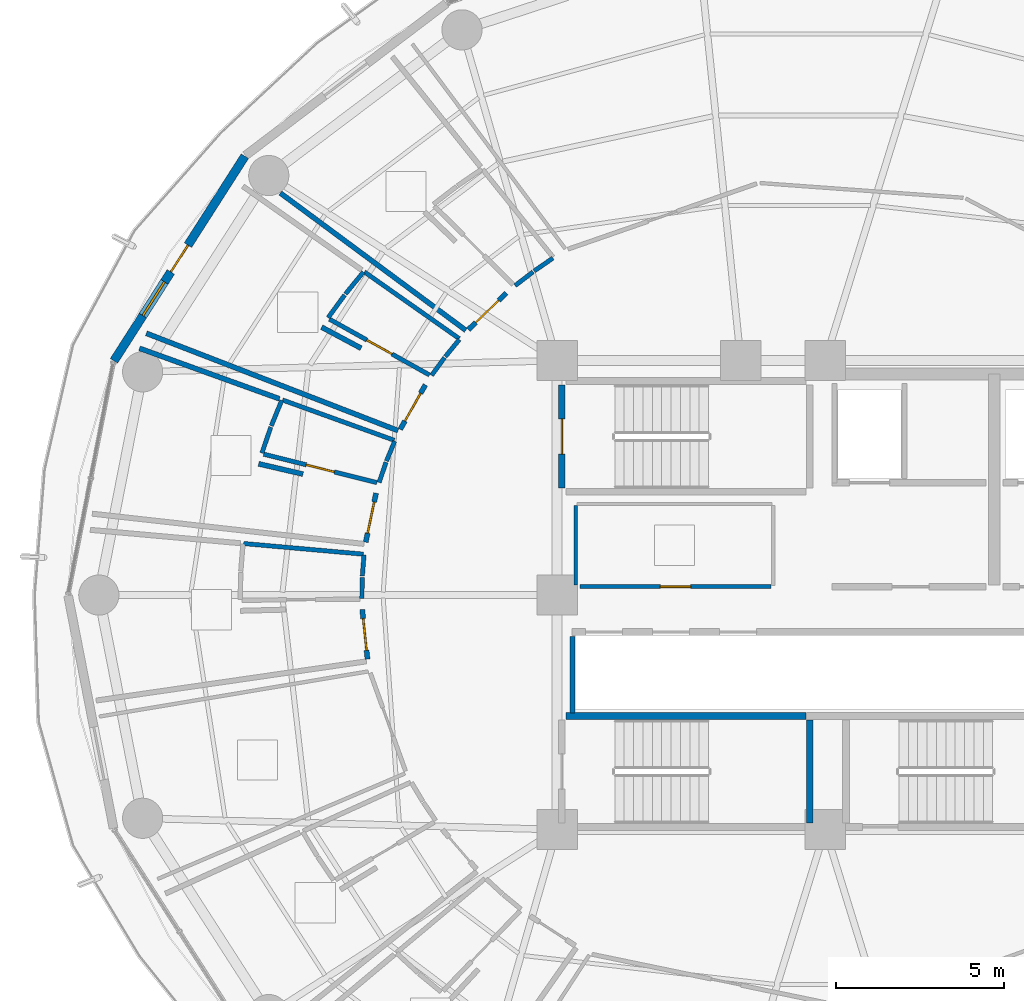
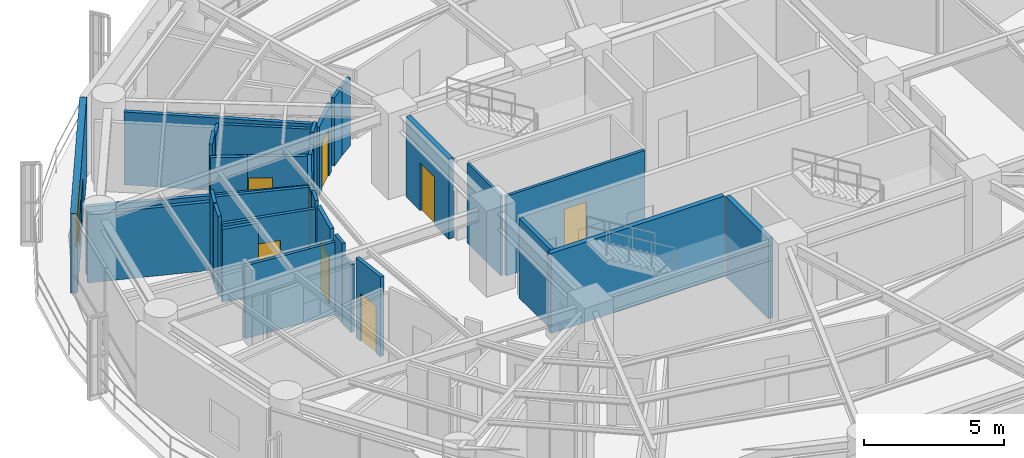
# One storey, part 22 of 27: 33 walls, 9 doors, 1 window, 10 openings.
"""IFC4 building model written with IfcOpenShell, lengths in metres."""

from ifc_helpers import new_model, si_unit, direction, frame, frame_2d, origin, place, context, subcontext, project, spatial, rectangle, extrude, material, layer, layer_set, type_object, element, fill, save


model = new_model("IFC4")

# Units and contexts
model_context = context("Model", 3, precision=1e-05, world=origin(), true_north=direction((0.0, 1.0)))
body_context = subcontext(model_context, "Body", "Model", "MODEL_VIEW")
ifc_project = project(units=[si_unit("LENGTHUNIT", "METRE"), si_unit("AREAUNIT", "SQUARE_METRE"), si_unit("VOLUMEUNIT", "CUBIC_METRE"), si_unit("PLANEANGLEUNIT", "RADIAN"), si_unit("MASSUNIT", "GRAM", prefix="KILO")], contexts=[model_context])

# Site, building, storey
site_placement = place(None, origin())
site = spatial("IfcSite", under=ifc_project, at=site_placement, CompositionType="ELEMENT")
building_placement = place(site_placement, origin())
building = spatial("IfcBuilding", under=site, at=building_placement, Name="Kelanora Arch Commons", CompositionType="ELEMENT")
storey_placement = place(building_placement, frame((0.0, 0.0, 173.10009765625)))
storey = spatial("IfcBuildingStorey", under=building, at=storey_placement, Name="L44", CompositionType="ELEMENT", Elevation=173.10009765625)

# Wall
ifc_material_1 = material(Name="Autoclaved aerated concrete blockwork with fire plaster", Category="masonry")
ifc_layer_1 = layer(ifc_material_1, 0.14990234375)
ifc_layer_set_1 = layer_set([ifc_layer_1], Name="Autoclaved aerated concrete blockwork with fire plaster")
wall_type_1 = type_object("IfcWallType", Name="W-COMP-150", PredefinedType="PARTITIONING", material=ifc_layer_set_1)
wall_1_placement = place(storey_placement, frame((66.4599609375, 54.47998046875, 0.0), z_axis=(0.0, 0.0, 1.0), x_axis=(0.0, 1.0, 0.0)))
element("IfcWall", 1, at=wall_1_placement, inside=storey, type_object=wall_type_1, Name="South Lift Bank West Wall L44", PredefinedType="PARTITIONING", context=body_context, shape_type="SweptSolid", body=[
    extrude(rectangle(XDim=2.2900390625, YDim=0.14990234375, at=frame_2d((1.14501953125, 0.0))), origin(), (0.0, 0.0, 1.0), 3.47998046875),
])

# Wall, opening, door
wall_2_placement = place(storey_placement, frame((64.481689453125, 67.013427734375, 0.0), z_axis=(0.0, 0.0, 1.0), x_axis=(-0.720543985977, -0.693409232901, 0.0)))
wall_2 = element("IfcWall", 2, at=wall_2_placement, inside=storey, type_object=wall_type_1, Name="Cluster Bedroom L44-01 Entry Partition", PredefinedType="PARTITIONING", context=body_context, shape_type="SweptSolid", body=[
    extrude(rectangle(XDim=1.574462890625, YDim=0.14990234375, at=frame_2d((0.787109375, 0.0))), origin(), (0.0, 0.0, 1.0), 2.974853515625),
])
opening_1_placement = place(wall_2_placement, frame((0.31201171875, 0.0, 0.0)))
opening_1 = element("IfcOpeningElement", 3, at=opening_1_placement, cuts=wall_2, Name="Opening D-CLU1", PredefinedType="OPENING", context=body_context, shape_type="SweptSolid", body=[
    extrude(rectangle(XDim=0.949951171875, YDim=2.080078125, at=frame_2d((0.47509765625, 1.0400390625))), frame((0.0, 0.0849609375, 0.0), z_axis=(0.0, -1.0, 0.0), x_axis=(1.0, 0.0, 0.0)), (0.0, 0.0, 1.0), 0.169921875),
])
ifc_material_2 = material(Name="Solid-core acoustic timber cluster entry fire door", Category="wood")
door_type_1 = type_object("IfcDoorType", Name="D-CLU-95", OperationType="NOTDEFINED", PredefinedType="DOOR", material=ifc_material_2)
door_1_placement = place(opening_1_placement, origin())
door_1 = element("IfcDoor", 4, at=door_1_placement, inside=storey, type_object=door_type_1, Name="Cluster Bedroom L44-01 Door", OperationType="SINGLE_SWING_LEFT", OverallHeight=2.080078125, OverallWidth=0.949951171875, PredefinedType="DOOR", context=body_context, shape_type="SweptSolid", body=[
    extrude(rectangle(XDim=0.949951171875, YDim=2.080078125, at=frame_2d((0.47509765625, 1.0400390625))), frame((0.0, 0.02490234375, 0.0), z_axis=(0.0, -1.0, 0.0), x_axis=(1.0, 0.0, 0.0)), (0.0, 0.0, 1.0), 0.050048828125),
])
fill(opening_1, door_1)

wall_3_placement = place(storey_placement, frame((62.06640625, 64.27490234375, 0.0), z_axis=(0.0, 0.0, 1.0), x_axis=(-0.491582624537, -0.870830938388, 0.0)))
wall_3 = element("IfcWall", 5, at=wall_3_placement, inside=storey, type_object=wall_type_1, Name="Cluster Bedroom L44-02 Entry Partition", PredefinedType="PARTITIONING", context=body_context, shape_type="SweptSolid", body=[
    extrude(rectangle(XDim=1.525634765625, YDim=0.14990234375, at=frame_2d((0.7626953125, 0.0))), origin(), (0.0, 0.0, 1.0), 3.23486328125),
])
opening_2_placement = place(wall_3_placement, frame((0.2880859375, 0.0, 0.0)))
opening_2 = element("IfcOpeningElement", 6, at=opening_2_placement, cuts=wall_3, Name="Opening D-CLU1", PredefinedType="OPENING", context=body_context, shape_type="SweptSolid", body=[
    extrude(rectangle(XDim=0.949951171875, YDim=2.080078125, at=frame_2d((0.47509765625, 1.0400390625))), frame((0.0, 0.0849609375, 0.0), z_axis=(0.0, -1.0, 0.0), x_axis=(1.0, 0.0, 0.0)), (0.0, 0.0, 1.0), 0.169921875),
])
door_2_placement = place(opening_2_placement, origin())
door_2 = element("IfcDoor", 7, at=door_2_placement, inside=storey, type_object=door_type_1, Name="Cluster Bedroom L44-02 Door", OperationType="SINGLE_SWING_LEFT", OverallHeight=2.080078125, OverallWidth=0.949951171875, PredefinedType="DOOR", context=body_context, shape_type="SweptSolid", body=[
    extrude(rectangle(XDim=0.949951171875, YDim=2.080078125, at=frame_2d((0.47509765625, 1.0400390625))), frame((0.0, 0.02490234375, 0.0), z_axis=(0.0, -1.0, 0.0), x_axis=(1.0, 0.0, 0.0)), (0.0, 0.0, 1.0), 0.050048828125),
])
fill(opening_2, door_2)

wall_4_placement = place(storey_placement, frame((60.594482421875, 61.041259765625, 0.0), z_axis=(0.0, 0.0, 1.0), x_axis=(-0.206257580925, -0.978497731378, 0.0)))
wall_4 = element("IfcWall", 8, at=wall_4_placement, inside=storey, type_object=wall_type_1, Name="Cluster Bedroom L44-03 Entry Partition", PredefinedType="PARTITIONING", context=body_context, shape_type="SweptSolid", body=[
    extrude(rectangle(XDim=1.493896484375, YDim=0.14990234375, at=frame_2d((0.7470703125, 0.0))), origin(), (0.0, 0.0, 1.0), 3.47998046875),
])
opening_3_placement = place(wall_4_placement, frame((0.27197265625, 0.0, 0.0)))
opening_3 = element("IfcOpeningElement", 9, at=opening_3_placement, cuts=wall_4, Name="Opening D-CLU1", PredefinedType="OPENING", context=body_context, shape_type="SweptSolid", body=[
    extrude(rectangle(XDim=0.949951171875, YDim=2.080078125, at=frame_2d((0.47509765625, 1.0400390625))), frame((0.0, 0.0849609375, 0.0), z_axis=(0.0, -1.0, 0.0), x_axis=(1.0, 0.0, 0.0)), (0.0, 0.0, 1.0), 0.169921875),
])
door_3_placement = place(opening_3_placement, origin())
door_3 = element("IfcDoor", 10, at=door_3_placement, inside=storey, type_object=door_type_1, Name="Cluster Bedroom L44-03 Door", OperationType="SINGLE_SWING_LEFT", OverallHeight=2.080078125, OverallWidth=0.949951171875, PredefinedType="DOOR", context=body_context, shape_type="SweptSolid", body=[
    extrude(rectangle(XDim=0.949951171875, YDim=2.080078125, at=frame_2d((0.47509765625, 1.0400390625))), frame((0.0, 0.02490234375, 0.0), z_axis=(0.0, -1.0, 0.0), x_axis=(1.0, 0.0, 0.0)), (0.0, 0.0, 1.0), 0.050048828125),
])
fill(opening_3, door_3)

wall_5_placement = place(storey_placement, frame((60.182373046875, 57.568359375, 0.0), z_axis=(0.0, 0.0, 1.0), x_axis=(0.104940843895, -0.994478465972, 0.0)))
wall_5 = element("IfcWall", 11, at=wall_5_placement, inside=storey, type_object=wall_type_1, Name="Cluster Bedroom L44-04 Entry Partition", PredefinedType="PARTITIONING", context=body_context, shape_type="SweptSolid", body=[
    extrude(rectangle(XDim=1.489013671875, YDim=0.14990234375, at=frame_2d((0.74462890625, 0.0))), origin(), (0.0, 0.0, 1.0), 3.47998046875),
])
opening_4_placement = place(wall_5_placement, frame((0.26904296875, 0.0, 0.0)))
opening_4 = element("IfcOpeningElement", 12, at=opening_4_placement, cuts=wall_5, Name="Opening D-CLU1", PredefinedType="OPENING", context=body_context, shape_type="SweptSolid", body=[
    extrude(rectangle(XDim=0.949951171875, YDim=2.080078125, at=frame_2d((0.47509765625, 1.0400390625))), frame((0.0, 0.0849609375, 0.0), z_axis=(0.0, -1.0, 0.0), x_axis=(1.0, 0.0, 0.0)), (0.0, 0.0, 1.0), 0.169921875),
])
door_4_placement = place(opening_4_placement, origin())
door_4 = element("IfcDoor", 13, at=door_4_placement, inside=storey, type_object=door_type_1, Name="Cluster Bedroom L44-04 Door", OperationType="SINGLE_SWING_LEFT", OverallHeight=2.080078125, OverallWidth=0.949951171875, PredefinedType="DOOR", context=body_context, shape_type="SweptSolid", body=[
    extrude(rectangle(XDim=0.949951171875, YDim=2.080078125, at=frame_2d((0.47509765625, 1.0400390625))), frame((0.0, 0.02490234375, 0.0), z_axis=(0.0, -1.0, 0.0), x_axis=(1.0, 0.0, 0.0)), (0.0, 0.0, 1.0), 0.050048828125),
])
fill(opening_4, door_4)

# Walls
wall_6_placement = place(storey_placement, frame((63.27197265625, 65.90380859375, 0.0), z_axis=(0.0, 0.0, 1.0), x_axis=(-0.803728632682, 0.594996037808, 0.0)))
element("IfcWall", 14, at=wall_6_placement, inside=storey, type_object=wall_type_1, Name="Cluster Bedroom L44-01 Enclosure Partition 2", PredefinedType="PARTITIONING", context=body_context, shape_type="SweptSolid", body=[
    extrude(rectangle(XDim=6.8857421875, YDim=0.14990234375, at=frame_2d((3.44287109375, 0.0))), origin(), (0.0, 0.0, 1.0), 3.1748046875),
])
wall_7_placement = place(storey_placement, frame((61.249755859375, 62.908447265625, 0.0), z_axis=(0.0, 0.0, 1.0), x_axis=(-0.932687580633, 0.360685287936, 0.0)))
element("IfcWall", 15, at=wall_7_placement, inside=storey, type_object=wall_type_1, Name="Cluster Bedroom L44-02 Enclosure Partition 2", PredefinedType="PARTITIONING", context=body_context, shape_type="SweptSolid", body=[
    extrude(rectangle(XDim=8.051513671875, YDim=0.14990234375, at=frame_2d((4.02587890625, 0.0))), origin(), (0.0, 0.0, 1.0), 2.974853515625),
])
wall_8_placement = place(storey_placement, frame((58.97119140625, 65.99609375, 0.0), z_axis=(0.0, 0.0, 1.0), x_axis=(0.882039066957, -0.471176277376, 0.0)))
element("IfcWall", 16, at=wall_8_placement, inside=storey, type_object=wall_type_1, Name="Cluster Bedroom L44-02 Enclosure Partition 7", PredefinedType="PARTITIONING", context=body_context, shape_type="SweptSolid", body=[
    extrude(rectangle(XDim=1.335693359375, YDim=0.14990234375, at=frame_2d((0.66796875, 0.0))), origin(), (0.0, 0.0, 1.0), 3.1748046875),
])
wall_9_placement = place(storey_placement, frame((53.53466796875, 65.364501953125, 0.0), z_axis=(0.0, 0.0, 1.0), x_axis=(0.940657292565, -0.339358008517, 0.0)))
element("IfcWall", 17, at=wall_9_placement, inside=storey, type_object=wall_type_1, Name="Cluster Bedroom L44-03 Enclosure Partition 5", PredefinedType="PARTITIONING", context=body_context, shape_type="SweptSolid", body=[
    extrude(rectangle(XDim=4.440185546875, YDim=0.14990234375, at=frame_2d((2.22021484375, 0.0))), origin(), (0.0, 0.0, 1.0), 2.974853515625),
])
wall_10_placement = place(storey_placement, frame((57.091064453125, 61.91796875, 0.0), z_axis=(0.0, 0.0, 1.0), x_axis=(0.973980333704, -0.226632543023, 0.0)))
element("IfcWall", 18, at=wall_10_placement, inside=storey, type_object=wall_type_1, Name="Cluster Bedroom L44-03 Enclosure Partition 7", PredefinedType="PARTITIONING", context=body_context, shape_type="SweptSolid", body=[
    extrude(rectangle(XDim=1.357421875, YDim=0.14990234375, at=frame_2d((0.6787109375, 0.0))), origin(), (0.0, 0.0, 1.0), 3.1748046875),
])

# Wall, openings, door, window
ifc_material_3 = material(Name="Precast concrete C40/50 with terracotta rainscreen", Category="masonry")
ifc_layer_2 = layer(ifc_material_3, 0.260009765625)
ifc_layer_set_2 = layer_set([ifc_layer_2], Name="Precast concrete C40/50 with terracotta rainscreen")
wall_type_2 = type_object("IfcWallType", Name="W-EXT-TC", PredefinedType="SOLIDWALL", material=ifc_layer_set_2)
wall_11_placement = place(storey_placement, frame((56.67919921875, 71.100341796875, 0.0), z_axis=(0.0, 0.0, 1.0), x_axis=(-0.538801521808, -0.842432739213, 0.0)))
wall_11 = element("IfcWall", 19, at=wall_11_placement, inside=storey, type_object=wall_type_2, Name="Terracotta Exterior Wall L44-B07", PredefinedType="SOLIDWALL", context=body_context, shape_type="SweptSolid", body=[
    extrude(rectangle(XDim=7.25341796875, YDim=0.260009765625, at=frame_2d((3.626708984375, 0.0))), origin(), (0.0, 0.0, 1.0), 3.474853515625),
])
opening_5_placement = place(wall_11_placement, frame((3.152099609375, 0.0, 0.0)))
opening_5 = element("IfcOpeningElement", 20, at=opening_5_placement, cuts=wall_11, Name="Opening DB-01", PredefinedType="OPENING", context=body_context, shape_type="SweptSolid", body=[
    extrude(rectangle(XDim=0.949951171875, YDim=2.10009765625, at=frame_2d((0.47509765625, 1.050048828125))), frame((0.0, 0.14013671875, 0.0), z_axis=(0.0, -1.0, 0.0), x_axis=(1.0, 0.0, 0.0)), (0.0, 0.0, 1.0), 0.280029296875),
])
opening_6_placement = place(wall_11_placement, frame((4.451904296875, 0.0, 0.85009765625)))
opening_6 = element("IfcOpeningElement", 21, at=opening_6_placement, cuts=wall_11, Name="Opening WN-02", PredefinedType="OPENING", context=body_context, shape_type="SweptSolid", body=[
    extrude(rectangle(XDim=1.199951171875, YDim=1.449951171875, at=frame_2d((0.60009765625, 0.72509765625))), frame((0.0, 0.14013671875, 0.0), z_axis=(0.0, -1.0, 0.0), x_axis=(1.0, 0.0, 0.0)), (0.0, 0.0, 1.0), 0.280029296875),
])
ifc_material_4 = material(Name="Terracotta-aluminium thermally broken glazed balcony door", Category="masonry")
door_type_2 = type_object("IfcDoorType", Name="D-BAL-10", OperationType="NOTDEFINED", PredefinedType="DOOR", material=ifc_material_4)
door_5_placement = place(opening_5_placement, frame((0.949951171875, 0.0, 0.0), z_axis=(0.0, 0.0, 1.0), x_axis=(-1.0, 0.0, 0.0)))
door_5 = element("IfcDoor", 22, at=door_5_placement, inside=storey, type_object=door_type_2, Name="Wave Balcony Door L44-B07", OperationType="SINGLE_SWING_RIGHT", OverallHeight=2.10009765625, OverallWidth=0.949951171875, PredefinedType="DOOR", context=body_context, shape_type="SweptSolid", body=[
    extrude(rectangle(XDim=0.949951171875, YDim=2.10009765625, at=frame_2d((0.47509765625, 1.050048828125))), frame((0.0, 0.02490234375, 0.0), z_axis=(0.0, -1.0, 0.0), x_axis=(1.0, 0.0, 0.0)), (0.0, 0.0, 1.0), 0.050048828125),
])
fill(opening_5, door_5)
ifc_material_5 = material(Name="Terracotta-anodised aluminium frame with operable awning sash", Category="masonry")
window_type = type_object("IfcWindowType", Name="WIN-CL-12", PartitioningType="SINGLE_PANEL", PredefinedType="WINDOW", material=ifc_material_5)
window_placement = place(opening_6_placement, origin())
window = element("IfcWindow", 23, at=window_placement, inside=storey, type_object=window_type, Name="Co-Living Operable Window L44-B07", OverallHeight=1.449951171875, OverallWidth=1.199951171875, PartitioningType="SINGLE_PANEL", PredefinedType="WINDOW", context=body_context, shape_type="SweptSolid", body=[
    extrude(rectangle(XDim=1.199951171875, YDim=1.449951171875, at=frame_2d((0.60009765625, 0.72509765625))), frame((0.0, 0.030029296875, 0.0), z_axis=(0.0, -1.0, 0.0), x_axis=(1.0, 0.0, 0.0)), (0.0, 0.0, 1.0), 0.06005859375),
])
fill(opening_6, window)

# Wall
ifc_material_6 = material(Name="Lightweight fire-rated acoustic stud partition")
ifc_layer_3 = layer(ifc_material_6, 0.10009765625)
ifc_layer_set_3 = layer_set([ifc_layer_3], Name="Lightweight fire-rated acoustic stud partition")
wall_type_3 = type_object("IfcWallType", Name="W-PART-100", PredefinedType="PARTITIONING", material=ifc_layer_set_3)
wall_12_placement = place(storey_placement, frame((66.550048828125, 60.679931640625, 0.0), z_axis=(0.0, 0.0, 1.0), x_axis=(0.0, -1.0, 0.0)))
element("IfcWall", 24, at=wall_12_placement, inside=storey, type_object=wall_type_3, Name="Reclaimed Core Study Pod Lounge L44 Enclosure Partition 4", PredefinedType="PARTITIONING", context=body_context, shape_type="SweptSolid", body=[
    extrude(rectangle(XDim=2.383056640625, YDim=0.10009765625, at=frame_2d((1.19140625, 0.0))), origin(), (0.0, 0.0, 1.0), 3.47998046875),
])

# Wall, opening, door
ifc_material_7 = material(Name="Acoustic twin-stud fire-rated gypsum partition")
ifc_layer_4 = layer(ifc_material_7, 0.1201171875)
ifc_layer_set_4 = layer_set([ifc_layer_4], Name="Acoustic twin-stud fire-rated gypsum partition")
wall_type_4 = type_object("IfcWallType", Name="W-PART-120", PredefinedType="PARTITIONING", material=ifc_layer_set_4)
wall_13_placement = place(storey_placement, frame((66.67529296875, 58.25, 0.0), z_axis=(0.0, 0.0, 1.0), x_axis=(1.0, 0.0, 0.0)))
wall_13 = element("IfcWall", 25, at=wall_13_placement, inside=storey, type_object=wall_type_4, Name="Reclaimed Core Study Pod Lounge L44 Entry Partition", PredefinedType="PARTITIONING", context=body_context, shape_type="SweptSolid", body=[
    extrude(rectangle(XDim=5.714599609375, YDim=0.1201171875, at=frame_2d((2.857421875, 0.0))), origin(), (0.0, 0.0, 1.0), 3.47998046875),
])
opening_7_placement = place(wall_13_placement, frame((2.406982421875, 0.0, 0.0)))
opening_7 = element("IfcOpeningElement", 26, at=opening_7_placement, cuts=wall_13, Name="Opening D-RM1", PredefinedType="OPENING", context=body_context, shape_type="SweptSolid", body=[
    extrude(rectangle(XDim=0.89990234375, YDim=2.080078125, at=frame_2d((0.449951171875, 1.0400390625))), frame((0.0, 0.070068359375, 0.0), z_axis=(0.0, -1.0, 0.0), x_axis=(1.0, 0.0, 0.0)), (0.0, 0.0, 1.0), 0.14013671875),
])
ifc_material_8 = material(Name="Acoustic fire-rated timber study and lounge door", Category="wood")
door_type_3 = type_object("IfcDoorType", Name="D-ROOM-90", OperationType="NOTDEFINED", PredefinedType="DOOR", material=ifc_material_8)
door_6_placement = place(opening_7_placement, origin())
door_6 = element("IfcDoor", 27, at=door_6_placement, inside=storey, type_object=door_type_3, Name="Reclaimed Core Study Pod Lounge L44 Door", OperationType="SINGLE_SWING_LEFT", OverallHeight=2.080078125, OverallWidth=0.89990234375, PredefinedType="DOOR", context=body_context, shape_type="SweptSolid", body=[
    extrude(rectangle(XDim=0.89990234375, YDim=2.080078125, at=frame_2d((0.449951171875, 1.0400390625))), frame((0.0, 0.02490234375, 0.0), z_axis=(0.0, -1.0, 0.0), x_axis=(1.0, 0.0, 0.0)), (0.0, 0.0, 1.0), 0.050048828125),
])
fill(opening_7, door_6)

ifc_material_9 = material(Name="Concrete C40/50", Category="concrete")
ifc_layer_5 = layer(ifc_material_9, 0.199951171875)
ifc_layer_set_5 = layer_set([ifc_layer_5], Name="Concrete C40/50")
wall_type_5 = type_object("IfcWallType", Name="W-STAIR-200", PredefinedType="SHEAR", material=ifc_layer_set_5)
wall_14_placement = place(storey_placement, frame((66.139892578125, 64.27001953125, 0.0), z_axis=(0.0, 0.0, 1.0), x_axis=(0.0, -1.0, 0.0)))
wall_14 = element("IfcWall", 28, at=wall_14_placement, inside=storey, type_object=wall_type_5, Name="Stair ST-T1 Shaft Wall W L44", PredefinedType="SHEAR", context=body_context, shape_type="SweptSolid", body=[
    extrude(rectangle(XDim=3.070068359375, YDim=0.199951171875, at=frame_2d((1.53515625, 0.0))), origin(), (0.0, 0.0, 1.0), 3.489990234375),
])
opening_8_placement = place(wall_14_placement, frame((1.010009765625, 0.0, 0.0)))
opening_8 = element("IfcOpeningElement", 29, at=opening_8_placement, cuts=wall_14, Name="Opening D-ST1", PredefinedType="OPENING", context=body_context, shape_type="SweptSolid", body=[
    extrude(rectangle(XDim=1.050048828125, YDim=2.10009765625, at=frame_2d((0.52490234375, 1.050048828125))), frame((0.0, 0.10986328125, 0.0), z_axis=(0.0, -1.0, 0.0), x_axis=(1.0, 0.0, 0.0)), (0.0, 0.0, 1.0), 0.219970703125),
])
ifc_material_10 = material(Name="Steel fire-rated stairwell escape door", Category="steel")
door_type_4 = type_object("IfcDoorType", Name="D-STAIR-110", OperationType="NOTDEFINED", PredefinedType="DOOR", material=ifc_material_10)
door_7_placement = place(opening_8_placement, origin())
door_7 = element("IfcDoor", 30, at=door_7_placement, inside=storey, type_object=door_type_4, Name="Stair ST-T1 Escape Door L44", OperationType="SINGLE_SWING_LEFT", OverallHeight=2.10009765625, OverallWidth=1.050048828125, PredefinedType="DOOR", context=body_context, shape_type="SweptSolid", body=[
    extrude(rectangle(XDim=1.050048828125, YDim=2.10009765625, at=frame_2d((0.52490234375, 1.050048828125))), frame((0.0, 0.02490234375, 0.0), z_axis=(0.0, -1.0, 0.0), x_axis=(1.0, 0.0, 0.0)), (0.0, 0.0, 1.0), 0.050048828125),
])
fill(opening_8, door_7)

# Walls
wall_15_placement = place(storey_placement, frame((73.5400390625, 51.199951171875, 0.0), z_axis=(0.0, 0.0, 1.0), x_axis=(0.0, 1.0, 0.0)))
element("IfcWall", 31, at=wall_15_placement, inside=storey, type_object=wall_type_5, Name="Stair ST-T3 Shaft Wall E L44", PredefinedType="SHEAR", context=body_context, shape_type="SweptSolid", body=[
    extrude(rectangle(XDim=3.070068359375, YDim=0.199951171875, at=frame_2d((1.53515625, 0.0))), origin(), (0.0, 0.0, 1.0), 3.489990234375),
])
wall_16_placement = place(storey_placement, frame((73.419921875, 54.389892578125, 0.0), z_axis=(0.0, 0.0, 1.0), x_axis=(-1.0, 0.0, 0.0)))
element("IfcWall", 32, at=wall_16_placement, inside=storey, type_object=wall_type_5, Name="Stair ST-T3 Shaft Wall N L44", PredefinedType="SHEAR", context=body_context, shape_type="SweptSolid", body=[
    extrude(rectangle(XDim=7.159912109375, YDim=0.199951171875, at=frame_2d((3.580078125, 0.0))), origin(), (0.0, 0.0, 1.0), 3.489990234375),
])

# Wall, opening, door
ifc_material_11 = material(Name="Moisture-resistant fire-rated cement-board plumbing wall")
ifc_layer_6 = layer(ifc_material_11, 0.1298828125)
ifc_layer_set_6 = layer_set([ifc_layer_6], Name="Moisture-resistant fire-rated cement-board plumbing wall")
wall_type_6 = type_object("IfcWallType", Name="W-WET-120", PredefinedType="PLUMBINGWALL", material=ifc_layer_set_6)
wall_17_placement = place(storey_placement, frame((62.1875, 64.5703125, 0.0), z_axis=(0.0, 0.0, 1.0), x_axis=(-0.873255694646, 0.487262241271, 0.0)))
wall_17 = element("IfcWall", 33, at=wall_17_placement, inside=storey, type_object=wall_type_6, Name="En-Suite Shower WC L44-02 Entry Partition", PredefinedType="PLUMBINGWALL", context=body_context, shape_type="SweptSolid", body=[
    extrude(rectangle(XDim=3.416015625, YDim=0.1298828125, at=frame_2d((1.7080078125, 0.0))), origin(), (0.0, 0.0, 1.0), 2.974853515625),
])
opening_9_placement = place(wall_17_placement, frame((1.278076171875, 0.0, 0.0)))
opening_9 = element("IfcOpeningElement", 34, at=opening_9_placement, cuts=wall_17, Name="Opening D-BT1", PredefinedType="OPENING", context=body_context, shape_type="SweptSolid", body=[
    extrude(rectangle(XDim=0.860107421875, YDim=2.050048828125, at=frame_2d((0.43017578125, 1.02490234375))), frame((0.0, 0.074951171875, 0.0), z_axis=(0.0, -1.0, 0.0), x_axis=(1.0, 0.0, 0.0)), (0.0, 0.0, 1.0), 0.14990234375),
])
ifc_material_12 = material(Name="Moisture-sealed fire-rated accessible bathroom door")
door_type_5 = type_object("IfcDoorType", Name="D-BATH-85", OperationType="NOTDEFINED", PredefinedType="DOOR", material=ifc_material_12)
door_8_placement = place(opening_9_placement, origin())
door_8 = element("IfcDoor", 35, at=door_8_placement, inside=storey, type_object=door_type_5, Name="En-Suite Shower WC L44-02 Door", OperationType="SINGLE_SWING_RIGHT", OverallHeight=2.050048828125, OverallWidth=0.860107421875, PredefinedType="DOOR", context=body_context, shape_type="SweptSolid", body=[
    extrude(rectangle(XDim=0.860107421875, YDim=2.050048828125, at=frame_2d((0.43017578125, 1.02490234375))), frame((0.0, 0.02490234375, 0.0), z_axis=(0.0, -1.0, 0.0), x_axis=(1.0, 0.0, 0.0)), (0.0, 0.0, 1.0), 0.050048828125),
])
fill(opening_9, door_8)

wall_18_placement = place(storey_placement, frame((60.620849609375, 61.355712890625, 0.0), z_axis=(0.0, 0.0, 1.0), x_axis=(-0.969774737706, 0.244001963326, 0.0)))
wall_18 = element("IfcWall", 36, at=wall_18_placement, inside=storey, type_object=wall_type_6, Name="En-Suite Shower WC L44-03 Entry Partition", PredefinedType="PLUMBINGWALL", context=body_context, shape_type="SweptSolid", body=[
    extrude(rectangle(XDim=3.486083984375, YDim=0.1298828125, at=frame_2d((1.7431640625, 0.0))), origin(), (0.0, 0.0, 1.0), 3.1748046875),
])
opening_10_placement = place(wall_18_placement, frame((1.31298828125, 0.0, 0.0)))
opening_10 = element("IfcOpeningElement", 37, at=opening_10_placement, cuts=wall_18, Name="Opening D-BT1", PredefinedType="OPENING", context=body_context, shape_type="SweptSolid", body=[
    extrude(rectangle(XDim=0.860107421875, YDim=2.050048828125, at=frame_2d((0.43017578125, 1.02490234375))), frame((0.0, 0.074951171875, 0.0), z_axis=(0.0, -1.0, 0.0), x_axis=(1.0, 0.0, 0.0)), (0.0, 0.0, 1.0), 0.14990234375),
])
door_9_placement = place(opening_10_placement, origin())
door_9 = element("IfcDoor", 38, at=door_9_placement, inside=storey, type_object=door_type_5, Name="En-Suite Shower WC L44-03 Door", OperationType="SINGLE_SWING_RIGHT", OverallHeight=2.050048828125, OverallWidth=0.860107421875, PredefinedType="DOOR", context=body_context, shape_type="SweptSolid", body=[
    extrude(rectangle(XDim=0.860107421875, YDim=2.050048828125, at=frame_2d((0.43017578125, 1.02490234375))), frame((0.0, 0.02490234375, 0.0), z_axis=(0.0, -1.0, 0.0), x_axis=(1.0, 0.0, 0.0)), (0.0, 0.0, 1.0), 0.050048828125),
])
fill(opening_10, door_9)

# Walls
wall_19_placement = place(storey_placement, frame((65.87353515625, 68.0576171875, 0.0), z_axis=(0.0, 0.0, 1.0), x_axis=(-0.823224352539, -0.567716183834, 0.0)))
element("IfcWall", 39, at=wall_19_placement, inside=storey, type_object=wall_type_6, Name="En-Suite Shower WC L44-01 Enclosure Partition 1", PredefinedType="PLUMBINGWALL", context=body_context, shape_type="SweptSolid", body=[
    extrude(rectangle(XDim=0.680419921875, YDim=0.1298828125, at=frame_2d((0.34033203125, 0.0))), origin(), (0.0, 0.0, 1.0), 2.974853515625),
])
wall_20_placement = place(storey_placement, frame((65.281005859375, 67.647705078125, 0.0), z_axis=(0.0, 0.0, 1.0), x_axis=(-0.793187600036, -0.608977365055, 0.0)))
element("IfcWall", 40, at=wall_20_placement, inside=storey, type_object=wall_type_6, Name="En-Suite Shower WC L44-01 Enclosure Partition 2", PredefinedType="PLUMBINGWALL", context=body_context, shape_type="SweptSolid", body=[
    extrude(rectangle(XDim=0.676025390625, YDim=0.1298828125, at=frame_2d((0.337890625, 0.0))), origin(), (0.0, 0.0, 1.0), 2.974853515625),
])
wall_21_placement = place(storey_placement, frame((63.080322265625, 65.62744140625, 0.0), z_axis=(0.0, 0.0, 1.0), x_axis=(-0.633641038052, -0.773627193741, 0.0)))
element("IfcWall", 41, at=wall_21_placement, inside=storey, type_object=wall_type_6, Name="En-Suite Shower WC L44-02 Enclosure Partition 1", PredefinedType="PLUMBINGWALL", context=body_context, shape_type="SweptSolid", body=[
    extrude(rectangle(XDim=0.6591796875, YDim=0.1298828125, at=frame_2d((0.32958984375, 0.0))), origin(), (0.0, 0.0, 1.0), 3.47998046875),
])
wall_22_placement = place(storey_placement, frame((62.63818359375, 65.0859375, 0.0), z_axis=(0.0, 0.0, 1.0), x_axis=(-0.590053970957, -0.807363803596, 0.0)))
element("IfcWall", 42, at=wall_22_placement, inside=storey, type_object=wall_type_6, Name="En-Suite Shower WC L44-02 Enclosure Partition 2", PredefinedType="PLUMBINGWALL", context=body_context, shape_type="SweptSolid", body=[
    extrude(rectangle(XDim=0.655029296875, YDim=0.1298828125, at=frame_2d((0.32763671875, 0.0))), origin(), (0.0, 0.0, 1.0), 2.974853515625),
])
wall_23_placement = place(storey_placement, frame((59.163818359375, 66.280029296875, 0.0), z_axis=(0.0, 0.0, 1.0), x_axis=(0.589885116714, 0.807487181991, 0.0)))
element("IfcWall", 43, at=wall_23_placement, inside=storey, type_object=wall_type_6, Name="En-Suite Shower WC L44-02 Enclosure Partition 4", PredefinedType="PLUMBINGWALL", context=body_context, shape_type="SweptSolid", body=[
    extrude(rectangle(XDim=0.838134765625, YDim=0.1298828125, at=frame_2d((0.4189453125, 0.0))), origin(), (0.0, 0.0, 1.0), 3.47998046875),
])
wall_24_placement = place(storey_placement, frame((59.6826171875, 66.988525390625, 0.0), z_axis=(0.0, 0.0, 1.0), x_axis=(0.633474035481, 0.773763947449, 0.0)))
element("IfcWall", 44, at=wall_24_placement, inside=storey, type_object=wall_type_6, Name="En-Suite Shower WC L44-02 Enclosure Partition 5", PredefinedType="PLUMBINGWALL", context=body_context, shape_type="SweptSolid", body=[
    extrude(rectangle(XDim=0.843994140625, YDim=0.1298828125, at=frame_2d((0.421875, 0.0))), origin(), (0.0, 0.0, 1.0), 3.1748046875),
])
wall_25_placement = place(storey_placement, frame((60.246337890625, 67.6455078125, 0.0), z_axis=(0.0, 0.0, 1.0), x_axis=(0.817907250539, -0.575350093, 0.0)))
element("IfcWall", 45, at=wall_25_placement, inside=storey, type_object=wall_type_6, Name="En-Suite Shower WC L44-02 Enclosure Partition 6", PredefinedType="PLUMBINGWALL", context=body_context, shape_type="SweptSolid", body=[
    extrude(rectangle(XDim=3.46044921875, YDim=0.1298828125, at=frame_2d((1.730224609375, 0.0))), origin(), (0.0, 0.0, 1.0), 3.1748046875),
])
wall_26_placement = place(storey_placement, frame((61.150390625, 62.594482421875, 0.0), z_axis=(0.0, 0.0, 1.0), x_axis=(-0.38036677213, -0.924835725229, 0.0)))
element("IfcWall", 46, at=wall_26_placement, inside=storey, type_object=wall_type_6, Name="En-Suite Shower WC L44-03 Enclosure Partition 1", PredefinedType="PLUMBINGWALL", context=body_context, shape_type="SweptSolid", body=[
    extrude(rectangle(XDim=0.64111328125, YDim=0.1298828125, at=frame_2d((0.320556640625, 0.0))), origin(), (0.0, 0.0, 1.0), 3.23486328125),
])
wall_27_placement = place(storey_placement, frame((60.892578125, 61.964111328125, 0.0), z_axis=(0.0, 0.0, 1.0), x_axis=(-0.324128876048, -0.94601293422, 0.0)))
element("IfcWall", 47, at=wall_27_placement, inside=storey, type_object=wall_type_6, Name="En-Suite Shower WC L44-03 Enclosure Partition 2", PredefinedType="PLUMBINGWALL", context=body_context, shape_type="SweptSolid", body=[
    extrude(rectangle(XDim=0.638671875, YDim=0.1298828125, at=frame_2d((0.3193359375, 0.0))), origin(), (0.0, 0.0, 1.0), 3.47998046875),
])
wall_28_placement = place(storey_placement, frame((57.1884765625, 62.239990234375, 0.0), z_axis=(0.0, 0.0, 1.0), x_axis=(0.324370140969, 0.945930236142, 0.0)))
element("IfcWall", 48, at=wall_28_placement, inside=storey, type_object=wall_type_6, Name="En-Suite Shower WC L44-03 Enclosure Partition 4", PredefinedType="PLUMBINGWALL", context=body_context, shape_type="SweptSolid", body=[
    extrude(rectangle(XDim=0.8173828125, YDim=0.1298828125, at=frame_2d((0.40869140625, 0.0))), origin(), (0.0, 0.0, 1.0), 3.47998046875),
])
wall_29_placement = place(storey_placement, frame((57.467529296875, 63.050537109375, 0.0), z_axis=(0.0, 0.0, 1.0), x_axis=(0.378505488692, 0.92559904658, 0.0)))
element("IfcWall", 49, at=wall_29_placement, inside=storey, type_object=wall_type_6, Name="En-Suite Shower WC L44-03 Enclosure Partition 5", PredefinedType="PLUMBINGWALL", context=body_context, shape_type="SweptSolid", body=[
    extrude(rectangle(XDim=0.821044921875, YDim=0.1298828125, at=frame_2d((0.41064453125, 0.0))), origin(), (0.0, 0.0, 1.0), 3.47998046875),
])
wall_30_placement = place(storey_placement, frame((57.8046875, 63.822265625, 0.0), z_axis=(0.0, 0.0, 1.0), x_axis=(0.940709042882, -0.339214528935, 0.0)))
element("IfcWall", 50, at=wall_30_placement, inside=storey, type_object=wall_type_6, Name="En-Suite Shower WC L44-03 Enclosure Partition 6", PredefinedType="PLUMBINGWALL", context=body_context, shape_type="SweptSolid", body=[
    extrude(rectangle(XDim=3.544677734375, YDim=0.1298828125, at=frame_2d((1.7724609375, 0.0))), origin(), (0.0, 0.0, 1.0), 3.1748046875),
])
wall_31_placement = place(storey_placement, frame((60.2353515625, 59.19921875, 0.0), z_axis=(0.0, 0.0, 1.0), x_axis=(-0.078763069799, -0.996893363824, 0.0)))
element("IfcWall", 51, at=wall_31_placement, inside=storey, type_object=wall_type_6, Name="En-Suite Shower WC L44-04 Enclosure Partition 1", PredefinedType="PLUMBINGWALL", context=body_context, shape_type="SweptSolid", body=[
    extrude(rectangle(XDim=0.63232421875, YDim=0.1298828125, at=frame_2d((0.316162109375, 0.0))), origin(), (0.0, 0.0, 1.0), 3.47998046875),
])
wall_32_placement = place(storey_placement, frame((60.18359375, 58.529052734375, 0.0), z_axis=(0.0, 0.0, 1.0), x_axis=(-0.019338742534, -0.999812989032, 0.0)))
element("IfcWall", 52, at=wall_32_placement, inside=storey, type_object=wall_type_6, Name="En-Suite Shower WC L44-04 Enclosure Partition 2", PredefinedType="PLUMBINGWALL", context=body_context, shape_type="SweptSolid", body=[
    extrude(rectangle(XDim=0.631103515625, YDim=0.1298828125, at=frame_2d((0.3154296875, 0.0))), origin(), (0.0, 0.0, 1.0), 2.974853515625),
])
wall_33_placement = place(storey_placement, frame((56.642822265625, 59.5380859375, 0.0), z_axis=(0.0, 0.0, 1.0), x_axis=(0.99608063721, -0.088449783359, 0.0)))
element("IfcWall", 53, at=wall_33_placement, inside=storey, type_object=wall_type_6, Name="En-Suite Shower WC L44-04 Enclosure Partition 6", PredefinedType="PLUMBINGWALL", context=body_context, shape_type="SweptSolid", body=[
    extrude(rectangle(XDim=3.58837890625, YDim=0.1298828125, at=frame_2d((1.794189453125, 0.0))), origin(), (0.0, 0.0, 1.0), 3.1748046875),
])

save(model, "model.ifc")
